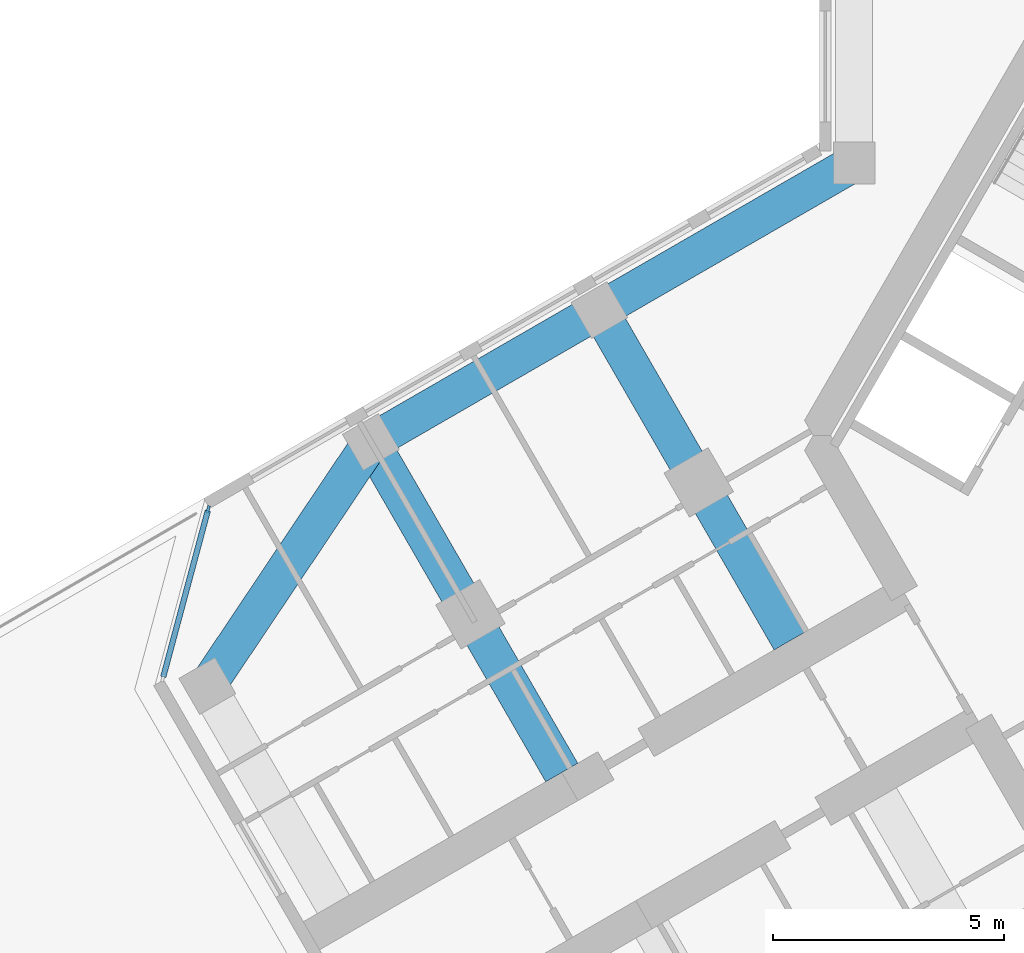
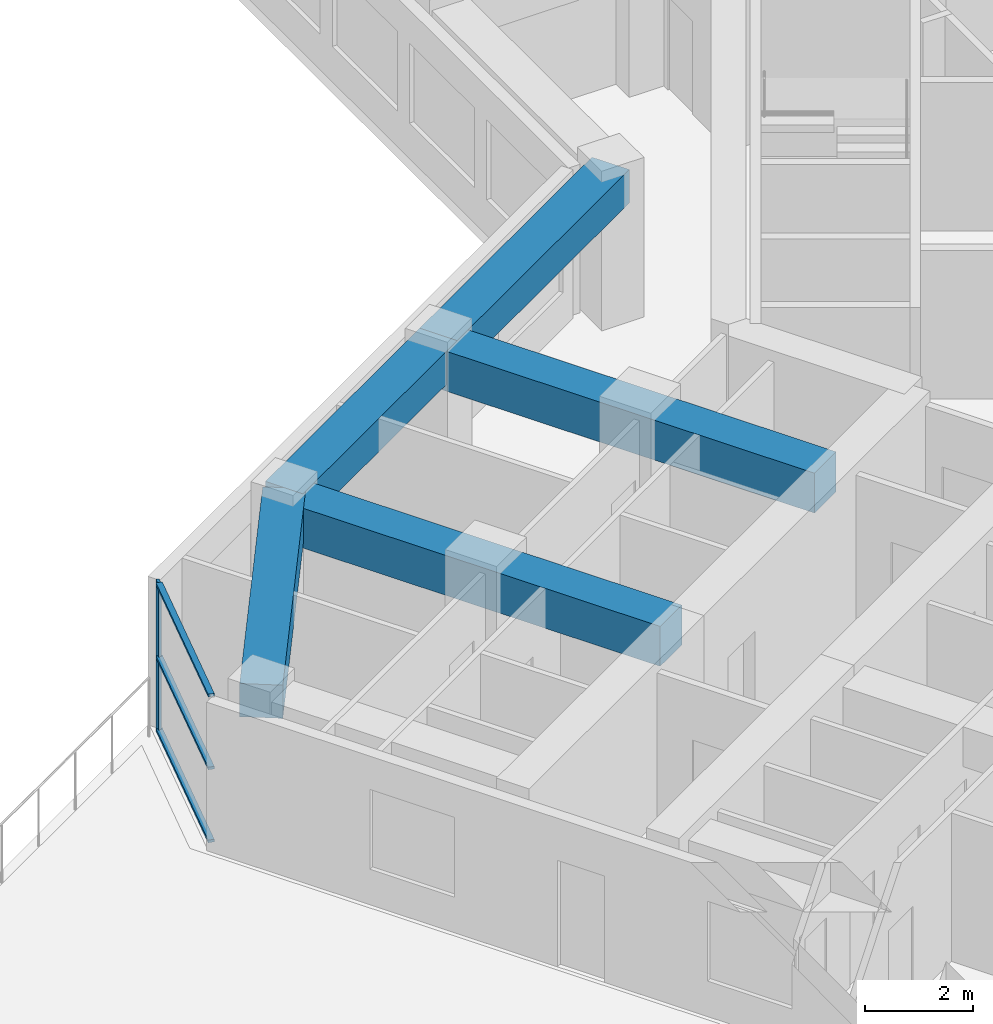
# One storey, part 3 of 17: 5 beams, 4 members, 1 element without a shape of its own.
"""IFC4 building model written with IfcOpenShell, lengths in metres."""

from ifc_helpers import new_model, si_unit, direction, frame, origin, origin_2d, place, context, subcontext, project, spatial, rectangle, extrude, material, material_profile, profile_set, type_object, element, aggregate, save


model = new_model("IFC4")

# Units and contexts
model_context = context("Model", 3, precision=1e-05, world=origin(), true_north=direction((0.0, 1.0)))
body_context = subcontext(model_context, "Body", "Model", "MODEL_VIEW")
ifc_project = project(units=[si_unit("LENGTHUNIT", "METRE"), si_unit("AREAUNIT", "SQUARE_METRE"), si_unit("VOLUMEUNIT", "CUBIC_METRE"), si_unit("PLANEANGLEUNIT", "RADIAN"), si_unit("MASSUNIT", "GRAM", prefix="KILO")], contexts=[model_context])

# Site, building, storey
site_placement = place(None, origin())
site = spatial("IfcSite", under=ifc_project, at=site_placement, CompositionType="ELEMENT")
building_placement = place(site_placement, origin())
building = spatial("IfcBuilding", under=site, at=building_placement, Name="Kosmar Iwan School Tower", CompositionType="ELEMENT")
storey_placement = place(building_placement, frame((0.0, 0.0, 193.800048828125)))
storey = spatial("IfcBuildingStorey", under=building, at=storey_placement, Name="L48", CompositionType="ELEMENT", Elevation=193.800048828125)

# Curtain wall, member
ifc_material_1 = material(Name="Dark glass in black aluminium frame", Category="aluminium")
curtain_wall_type = type_object("IfcCurtainWallType", Name="Chamfer curtain wall dark glass", PredefinedType="USERDEFINED", material=ifc_material_1)
curtain_wall_placement = place(storey_placement, origin())
curtain_wall = element("IfcCurtainWall", 1, at=curtain_wall_placement, inside=storey, type_object=curtain_wall_type, Name="Curtain wall L48-F10", ObjectType="FACETED CURTAIN WALL", PredefinedType="USERDEFINED")
ifc_material_2 = material(Name="Black anodised aluminium", Category="aluminium")
ifc_material_profile_1 = material_profile(ifc_material_2, rectangle(XDim=0.06005859375, YDim=0.159912109375, at=origin_2d()), Name="MULLION 60x160")
ifc_profile_set_1 = profile_set([ifc_material_profile_1], Name="Black anodised aluminium")
member_type_1 = type_object("IfcMemberType", Name="Mullion 60x160", PredefinedType="MULLION", material=ifc_profile_set_1)
member_1_placement = place(storey_placement, frame((-24.163818359375, -1.59814453125, 0.0), z_axis=(0.0, 0.0, 1.0), x_axis=(0.965925875495, -0.258818861462, 0.0)))
member_1 = element("IfcMember", 2, at=member_1_placement, type_object=member_type_1, Name="CW2 mullion 1", PredefinedType="MULLION", context=body_context, shape_type="SweptSolid", body=[
    extrude(rectangle(XDim=0.06005859375, YDim=0.159912109375, at=origin_2d()), origin(), (0.0, 0.0, 1.0), 3.349853515625),
])

# Beams
ifc_material_3 = material(Name="Concrete C50/60", Category="concrete")
ifc_material_profile_2 = material_profile(ifc_material_3, rectangle(XDim=0.800048828125, YDim=0.75, at=origin_2d()), Name="RC 800x750")
ifc_profile_set_2 = profile_set([ifc_material_profile_2], Name="Concrete C50/60")
beam_type_1 = type_object("IfcBeamType", Name="RC edge beam 800x750", PredefinedType="BEAM", material=ifc_profile_set_2)
beam_1_placement = place(storey_placement, frame((-10.199951171875, 5.888916015625, 2.974853515625), z_axis=(-0.866030912664, -0.49999045822, 0.0), x_axis=(0.49999045822, -0.866030912664, 0.0)))
element("IfcBeam", 3, at=beam_1_placement, inside=storey, type_object=beam_type_1, Name="Edge beam BR1", PredefinedType="BEAM", context=body_context, shape_type="SweptSolid", body=[
    extrude(rectangle(XDim=0.800048828125, YDim=0.75, at=origin_2d()), origin(), (0.0, 0.0, 1.0), 6.36083984375),
])
beam_2_placement = place(storey_placement, frame((-15.708740234375, 2.70849609375, 2.974853515625), z_axis=(-0.866025820012, -0.499999279071, 0.0), x_axis=(0.499999279071, -0.866025820012, 0.0)))
element("IfcBeam", 4, at=beam_2_placement, inside=storey, type_object=beam_type_1, Name="Edge beam BR2", PredefinedType="BEAM", context=body_context, shape_type="SweptSolid", body=[
    extrude(rectangle(XDim=0.800048828125, YDim=0.75, at=origin_2d()), origin(), (0.0, 0.0, 1.0), 5.7001953125),
])
ifc_material_4 = material(Name="Concrete C50/60", Category="concrete")
ifc_material_profile_3 = material_profile(ifc_material_4, rectangle(XDim=0.800048828125, YDim=0.75, at=origin_2d()), Name="RC 800x750")
ifc_profile_set_3 = profile_set([ifc_material_profile_3], Name="Concrete C50/60")
beam_type_2 = type_object("IfcBeamType", Name="RC tip beam 800x750", PredefinedType="BEAM", material=ifc_profile_set_3)
beam_3_placement = place(storey_placement, frame((-20.645263671875, -0.1416015625, 2.974853515625), z_axis=(-0.556827604145, -0.83062808721, 0.0), x_axis=(0.83062808721, -0.556827604145, 0.0)))
element("IfcBeam", 5, at=beam_3_placement, inside=storey, type_object=beam_type_2, Name="Tip beam BR", PredefinedType="BEAM", context=body_context, shape_type="SweptSolid", body=[
    extrude(rectangle(XDim=0.800048828125, YDim=0.75, at=origin_2d()), origin(), (0.0, 0.0, 1.0), 6.3505859375),
])
ifc_material_5 = material(Name="Concrete C50/60", Category="concrete")
ifc_material_profile_4 = material_profile(ifc_material_5, rectangle(XDim=0.800048828125, YDim=0.89990234375, at=origin_2d()), Name="RC 800x900")
ifc_profile_set_4 = profile_set([ifc_material_profile_4], Name="Concrete C50/60")
beam_type_3 = type_object("IfcBeamType", Name="RC transverse beam 800x900", PredefinedType="BEAM", material=ifc_profile_set_4)
beam_4_placement = place(storey_placement, frame((-15.708740234375, 2.70849609375, 2.89990234375), z_axis=(0.499996545922, -0.866027397988, 0.0), x_axis=(0.866027397988, 0.499996545922, 0.0)))
element("IfcBeam", 6, at=beam_4_placement, inside=storey, type_object=beam_type_3, Name="Transverse beam BR1", PredefinedType="BEAM", context=body_context, shape_type="SweptSolid", body=[
    extrude(rectangle(XDim=0.800048828125, YDim=0.89990234375, at=origin_2d()), origin(), (0.0, 0.0, 1.0), 8.25),
])
beam_5_placement = place(storey_placement, frame((-20.645263671875, -0.1416015625, 2.89990234375), z_axis=(0.500009360108, -0.866019999656, 0.0), x_axis=(0.866019999656, 0.500009360108, 0.0)))
element("IfcBeam", 7, at=beam_5_placement, inside=storey, type_object=beam_type_3, Name="Transverse beam BR2", PredefinedType="BEAM", context=body_context, shape_type="SweptSolid", body=[
    extrude(rectangle(XDim=0.800048828125, YDim=0.89990234375, at=origin_2d()), origin(), (0.0, 0.0, 1.0), 8.249755859375),
])

# Member
ifc_material_6 = material(Name="Black anodised aluminium", Category="aluminium")
ifc_material_profile_5 = material_profile(ifc_material_6, rectangle(XDim=0.1201171875, YDim=0.06005859375, at=origin_2d()), Name="TRANSOM 60x120")
ifc_profile_set_5 = profile_set([ifc_material_profile_5], Name="Black anodised aluminium")
member_type_2 = type_object("IfcMemberType", Name="Transom 60x120", PredefinedType="USERDEFINED", material=ifc_profile_set_5)
member_2_placement = place(storey_placement, frame((-24.17138671875, -1.627197265625, 0.030029296875), z_axis=(-0.258843273983, -0.965919333854, 0.0), x_axis=(0.965919333854, -0.258843273983, 0.0)))
member_2 = element("IfcMember", 8, at=member_2_placement, type_object=member_type_2, Name="CW2 transom 1.1", ObjectType="TRANSOM", PredefinedType="USERDEFINED", context=body_context, shape_type="SweptSolid", body=[
    extrude(rectangle(XDim=0.1201171875, YDim=0.06005859375, at=origin_2d()), origin(), (0.0, 0.0, 1.0), 3.718994140625),
])

member_3_placement = place(storey_placement, frame((-24.17138671875, -1.627197265625, 1.675048828125), z_axis=(-0.258843273983, -0.965919333854, 0.0), x_axis=(0.965919333854, -0.258843273983, 0.0)))
member_3 = element("IfcMember", 9, at=member_3_placement, type_object=member_type_2, Name="CW2 transom 1.2", ObjectType="TRANSOM", PredefinedType="USERDEFINED", context=body_context, shape_type="SweptSolid", body=[
    extrude(rectangle(XDim=0.1201171875, YDim=0.06005859375, at=origin_2d()), origin(), (0.0, 0.0, 1.0), 3.718994140625),
])

member_4_placement = place(storey_placement, frame((-24.17138671875, -1.627197265625, 3.320068359375), z_axis=(-0.258843273983, -0.965919333854, 0.0), x_axis=(0.965919333854, -0.258843273983, 0.0)))
member_4 = element("IfcMember", 10, at=member_4_placement, type_object=member_type_2, Name="CW2 transom 1.3", ObjectType="TRANSOM", PredefinedType="USERDEFINED", context=body_context, shape_type="SweptSolid", body=[
    extrude(rectangle(XDim=0.1201171875, YDim=0.06005859375, at=origin_2d()), origin(), (0.0, 0.0, 1.0), 3.718994140625),
])

aggregate(curtain_wall, [member_1, member_2, member_3, member_4])

save(model, "model.ifc")
